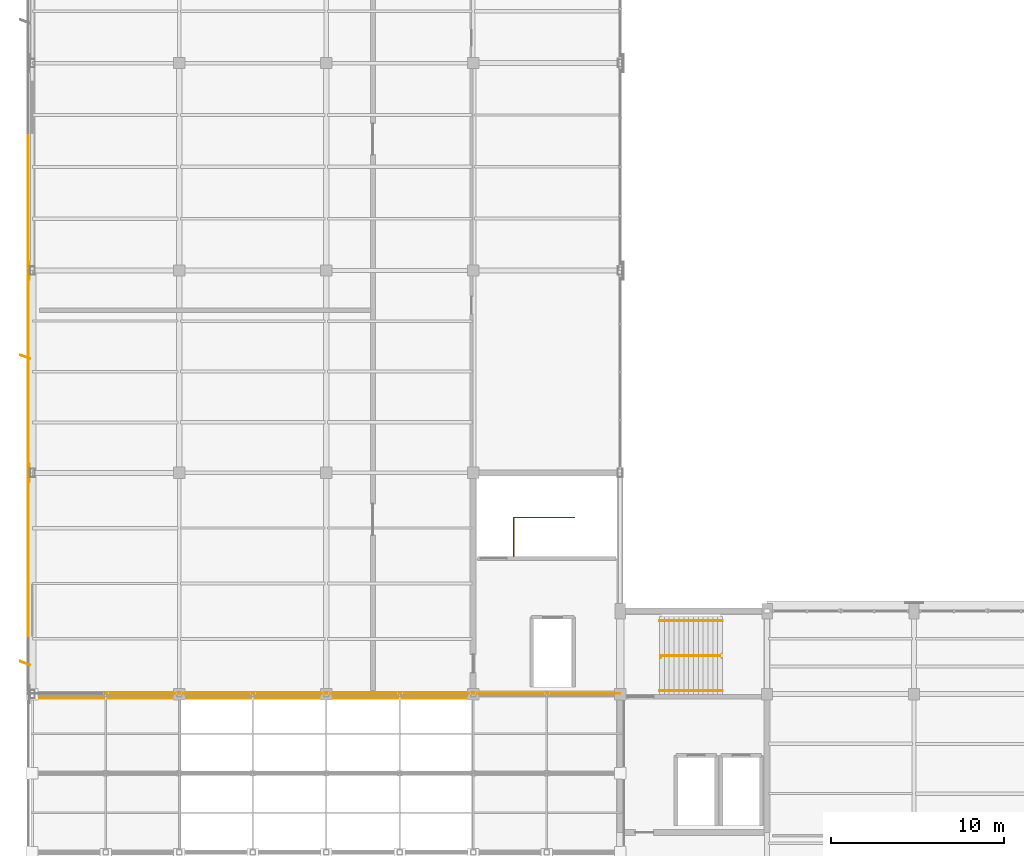
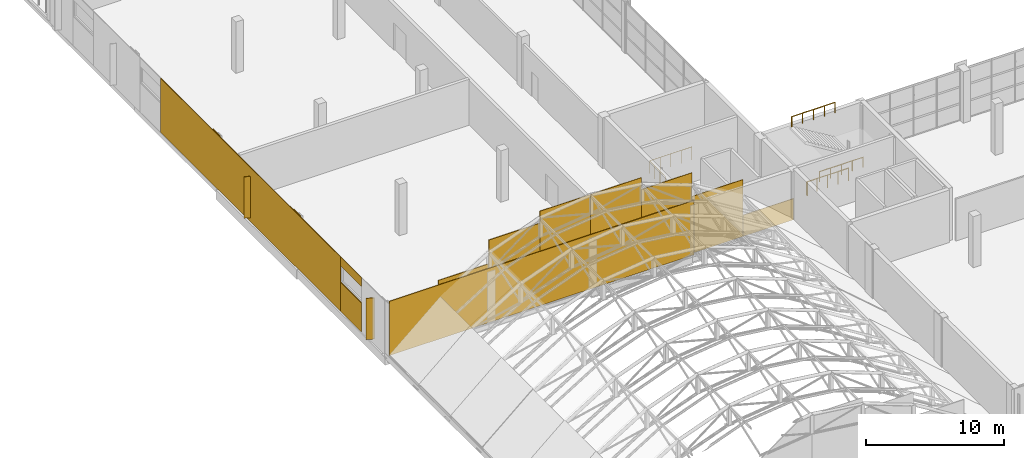
# One storey, part 78 of 86: 15 coverings, 4 railings.
"""IFC4 building model written with IfcOpenShell, lengths in metres."""

from ifc_helpers import new_model, si_unit, direction, frame, origin, origin_2d, place, context, subcontext, project, spatial, rectangle, circle, extrude, material, layer, layer_set, type_object, element, save


model = new_model("IFC4")

# Units and contexts
model_context = context("Model", 3, precision=1e-05, world=origin(), true_north=direction((0.0, 1.0)))
body_context = subcontext(model_context, "Body", "Model", "MODEL_VIEW")
ifc_project = project(units=[si_unit("LENGTHUNIT", "METRE"), si_unit("AREAUNIT", "SQUARE_METRE"), si_unit("VOLUMEUNIT", "CUBIC_METRE"), si_unit("PLANEANGLEUNIT", "RADIAN"), si_unit("MASSUNIT", "GRAM", prefix="KILO")], contexts=[model_context])

# Site, building, storey
site_placement = place(None, origin())
site = spatial("IfcSite", under=ifc_project, at=site_placement, CompositionType="ELEMENT")
building_placement = place(site_placement, origin())
building = spatial("IfcBuilding", under=site, at=building_placement, Name="Solvikara Media Centre", CompositionType="ELEMENT")
storey_placement = place(building_placement, frame((0.0, 0.0, 15.0)))
storey = spatial("IfcBuildingStorey", under=building, at=storey_placement, Name="L03", CompositionType="ELEMENT", Elevation=15.0)

# Coverings
ifc_material_1 = material(Name="GFRC white mineral architectural rainscreen panel")
ifc_layer = layer(ifc_material_1, 0.050048828125)
ifc_layer_set = layer_set([ifc_layer], Name="GFRC white mineral architectural rainscreen panel")
covering_type = type_object("IfcCoveringType", Name="CV-04", PredefinedType="CLADDING", material=ifc_layer_set)
for number, where, z_axis, x_axis, name in (
    (1, (-0.175048828125, 44.800048828125, 0.0), (0.0, 0.0, 1.0), (0.0, -1.0, 0.0), "PIL-L03-020"),
    (2, (-0.175048828125, 56.5, 0.0), (0.0, 0.0, 1.0), (0.0, -1.0, 0.0), "PIL-L03-024"),
):
    element("IfcCovering", number, at=place(storey_placement, frame(where, z_axis=z_axis, x_axis=x_axis)), inside=storey, type_object=covering_type, Name=name, PredefinedType="CLADDING", context=body_context, shape_type="SweptSolid", body=[
        extrude(rectangle(XDim=1.0400390625, YDim=0.050048828125, at=origin_2d()), origin(), (0.0, 0.0, 1.0), 4.800048828125),
    ])
covering_1_placement = place(storey_placement, frame((6.375, 32.0400390625, -0.04931640625), z_axis=(0.0, 0.0, 1.0), x_axis=(1.0, 0.0, 0.0)))
element("IfcCovering", 3, at=covering_1_placement, inside=storey, type_object=covering_type, Name="TYM-GC-N-01", PredefinedType="CLADDING", context=body_context, shape_type="SweptSolid", body=[
    extrude(rectangle(XDim=4.25, YDim=0.050048828125, at=origin_2d()), origin(), (0.0, 0.0, 1.0), 5.029052734375),
])
covering_2_placement = place(storey_placement, frame((10.625, 32.0400390625, -0.050537109375), z_axis=(0.0, 0.0, 1.0), x_axis=(1.0, 0.0, 0.0)))
element("IfcCovering", 4, at=covering_2_placement, inside=storey, type_object=covering_type, Name="TYM-GC-N-02", PredefinedType="CLADDING", context=body_context, shape_type="SweptSolid", body=[
    extrude(rectangle(XDim=4.25, YDim=0.050048828125, at=origin_2d()), origin(), (0.0, 0.0, 1.0), 7.12890625),
])
for number, where, z_axis, x_axis, name in (
    (5, (14.875, 32.0400390625, -0.04931640625), (0.0, 0.0, 1.0), (1.0, 0.0, 0.0), "TYM-GC-N-03"),
    (6, (19.125, 32.0400390625, -0.04931640625), (0.0, 0.0, 1.0), (1.0, 0.0, 0.0), "TYM-GC-N-04"),
):
    element("IfcCovering", number, at=place(storey_placement, frame(where, z_axis=z_axis, x_axis=x_axis)), inside=storey, type_object=covering_type, Name=name, PredefinedType="CLADDING", context=body_context, shape_type="SweptSolid", body=[
        extrude(rectangle(XDim=4.25, YDim=0.050048828125, at=origin_2d()), origin(), (0.0, 0.0, 1.0), 8.178955078125),
    ])
covering_3_placement = place(storey_placement, frame((23.375, 32.0400390625, -0.050537109375), z_axis=(0.0, 0.0, 1.0), x_axis=(1.0, 0.0, 0.0)))
element("IfcCovering", 7, at=covering_3_placement, inside=storey, type_object=covering_type, Name="TYM-GC-N-05", PredefinedType="CLADDING", context=body_context, shape_type="SweptSolid", body=[
    extrude(rectangle(XDim=4.25, YDim=0.050048828125, at=origin_2d()), origin(), (0.0, 0.0, 1.0), 7.12890625),
])
covering_4_placement = place(storey_placement, frame((27.625, 32.0400390625, -0.04931640625), z_axis=(0.0, 0.0, 1.0), x_axis=(1.0, 0.0, 0.0)))
element("IfcCovering", 8, at=covering_4_placement, inside=storey, type_object=covering_type, Name="TYM-GC-N-06", PredefinedType="CLADDING", context=body_context, shape_type="SweptSolid", body=[
    extrude(rectangle(XDim=4.25, YDim=0.050048828125, at=origin_2d()), origin(), (0.0, 0.0, 1.0), 5.029052734375),
])
covering_5_placement = place(storey_placement, frame((31.875, 32.0400390625, -0.050537109375), z_axis=(0.0, 0.0, 1.0), x_axis=(1.0, 0.0, 0.0)))
element("IfcCovering", 9, at=covering_5_placement, inside=storey, type_object=covering_type, Name="TYM-GC-N-07", PredefinedType="CLADDING", context=body_context, shape_type="SweptSolid", body=[
    extrude(rectangle(XDim=4.25, YDim=0.050048828125, at=origin_2d()), origin(), (0.0, 0.0, 1.0), 1.87890625),
])
covering_6_placement = place(storey_placement, frame((-0.425048828125, 33.784912109375, 0.35009765625), z_axis=(0.0, 0.0, 1.0), x_axis=(-0.930749810713, 0.3656566557, 0.0)))
element("IfcCovering", 10, at=covering_6_placement, inside=storey, type_object=covering_type, Name="L03-V4W-FIN-01", PredefinedType="CLADDING", context=body_context, shape_type="SweptSolid", body=[
    extrude(rectangle(XDim=0.60205078125, YDim=0.050048828125, at=origin_2d()), origin(), (0.0, 0.0, 1.0), 3.657958984375),
])
covering_7_placement = place(storey_placement, frame((-0.2451171875, 36.85009765625, 0.0), z_axis=(0.0, 0.0, 1.0), x_axis=(0.0, 1.0, 0.0)))
element("IfcCovering", 11, at=covering_7_placement, inside=storey, type_object=covering_type, Name="L03-V4W-CV-S02", PredefinedType="CLADDING", context=body_context, shape_type="SweptSolid", body=[
    extrude(rectangle(XDim=3.0, YDim=0.050048828125, at=origin_2d()), origin(), (0.0, 0.0, 1.0), 2.568115234375),
])
covering_8_placement = place(storey_placement, frame((-0.2451171875, 36.85009765625, 4.028076171875), z_axis=(0.0, 0.0, 1.0), x_axis=(0.0, 1.0, 0.0)))
element("IfcCovering", 12, at=covering_8_placement, inside=storey, type_object=covering_type, Name="L03-V4W-CV-H02", PredefinedType="CLADDING", context=body_context, shape_type="SweptSolid", body=[
    extrude(rectangle(XDim=3.0, YDim=0.050048828125, at=origin_2d()), origin(), (0.0, 0.0, 1.0), 0.77197265625),
])
covering_9_placement = place(storey_placement, frame((-0.2451171875, 51.39990234375, 0.0), z_axis=(0.0, 0.0, 1.0), x_axis=(0.0, 1.0, 0.0)))
element("IfcCovering", 13, at=covering_9_placement, inside=storey, type_object=covering_type, Name="L03-V4W-CV-F03", PredefinedType="CLADDING", context=body_context, shape_type="SweptSolid", body=[
    extrude(rectangle(XDim=26.10009765625, YDim=0.050048828125, at=origin_2d()), origin(), (0.0, 0.0, 1.0), 4.800048828125),
])
covering_10_placement = place(storey_placement, frame((-0.425048828125, 51.510009765625, 0.35009765625), z_axis=(0.0, 0.0, 1.0), x_axis=(-0.930749810713, 0.3656566557, 0.0)))
element("IfcCovering", 14, at=covering_10_placement, inside=storey, type_object=covering_type, Name="L03-V4W-FIN-03", PredefinedType="CLADDING", context=body_context, shape_type="SweptSolid", body=[
    extrude(rectangle(XDim=0.60205078125, YDim=0.050048828125, at=origin_2d()), origin(), (0.0, 0.0, 1.0), 3.657958984375),
])
covering_11_placement = place(storey_placement, frame((12.75, 31.7548828125, 0.0), z_axis=(0.0, 0.0, 1.0), x_axis=(1.0, 0.0, 0.0)))
element("IfcCovering", 15, at=covering_11_placement, inside=storey, type_object=covering_type, Name="L03-V4S-CV-F01", PredefinedType="CLADDING", context=body_context, shape_type="SweptSolid", body=[
    extrude(rectangle(XDim=25.5, YDim=0.050048828125, at=origin_2d()), origin(), (0.0, 0.0, 1.0), 4.800048828125),
])

# Railings
ifc_material_2 = material(Name="Steel S355JR", Category="steel")
railing_type_1 = type_object("IfcRailingType", Name="GR-01", PredefinedType="GUARDRAIL", material=ifc_material_2)
railing_1_placement = place(storey_placement, frame((27.840087890625, 39.97998046875, 0.0)))
element("IfcRailing", 16, at=railing_1_placement, inside=storey, type_object=railing_type_1, Name="GR-C1-L02-W", PredefinedType="GUARDRAIL", context=body_context, shape_type="SweptSolid", body=[
    extrude(circle(Radius=0.02392578125, at=origin_2d()), frame((0.0, 0.0, 1.1259765625), z_axis=(0.0, 1.0, 0.0), x_axis=(-1.0, 0.0, 0.0)), (0.0, 0.0, 1.0), 2.239990234375),
    extrude(circle(Radius=0.02392578125, at=origin_2d()), frame((0.0, 2.239990234375, 1.1259765625), z_axis=(1.0, 0.0, 0.0), x_axis=(0.0, 1.0, 0.0)), (0.0, 0.0, 1.0), 3.52001953125),
    extrude(circle(Radius=0.02099609375, at=origin_2d()), origin(), (0.0, 0.0, 1.0), 1.101806640625),
    extrude(circle(Radius=0.02099609375, at=origin_2d()), frame((0.0, 0.74658203125, 0.0)), (0.0, 0.0, 1.0), 1.101806640625),
    extrude(circle(Radius=0.02099609375, at=origin_2d()), frame((0.0, 1.493408203125, 0.0)), (0.0, 0.0, 1.0), 1.101806640625),
    extrude(circle(Radius=0.02099609375, at=origin_2d()), frame((0.0, 2.239990234375, 0.0)), (0.0, 0.0, 1.0), 1.101806640625),
    extrude(circle(Radius=0.02099609375, at=origin_2d()), frame((0.8798828125, 2.239990234375, 0.0)), (0.0, 0.0, 1.0), 1.101806640625),
    extrude(circle(Radius=0.02099609375, at=origin_2d()), frame((1.760009765625, 2.239990234375, 0.0)), (0.0, 0.0, 1.0), 1.101806640625),
    extrude(circle(Radius=0.02099609375, at=origin_2d()), frame((2.64013671875, 2.239990234375, 0.0)), (0.0, 0.0, 1.0), 1.101806640625),
    extrude(circle(Radius=0.02099609375, at=origin_2d()), frame((3.52001953125, 2.239990234375, 0.0)), (0.0, 0.0, 1.0), 1.101806640625),
])
railing_2_placement = place(storey_placement, frame((36.340087890625, 34.10009765625, 0.0)))
element("IfcRailing", 17, at=railing_2_placement, inside=storey, type_object=railing_type_1, Name="GR-C2-L02-W", PredefinedType="GUARDRAIL", context=body_context, shape_type="SweptSolid", body=[
    extrude(circle(Radius=0.02392578125, at=origin_2d()), frame((0.0, 0.0, 1.1259765625), z_axis=(0.0, 1.0, 0.0), x_axis=(-1.0, 0.0, 0.0)), (0.0, 0.0, 1.0), 0.119873046875),
    extrude(circle(Radius=0.02392578125, at=origin_2d()), frame((0.0, 0.119873046875, 1.1259765625), z_axis=(1.0, 0.0, 0.0), x_axis=(0.0, 1.0, 0.0)), (0.0, 0.0, 1.0), 3.52001953125),
    extrude(circle(Radius=0.02099609375, at=origin_2d()), origin(), (0.0, 0.0, 1.0), 1.101806640625),
    extrude(circle(Radius=0.02099609375, at=origin_2d()), frame((0.0, 0.119873046875, 0.0)), (0.0, 0.0, 1.0), 1.101806640625),
    extrude(circle(Radius=0.02099609375, at=origin_2d()), frame((0.8798828125, 0.119873046875, 0.0)), (0.0, 0.0, 1.0), 1.101806640625),
    extrude(circle(Radius=0.02099609375, at=origin_2d()), frame((1.760009765625, 0.119873046875, 0.0)), (0.0, 0.0, 1.0), 1.101806640625),
    extrude(circle(Radius=0.02099609375, at=origin_2d()), frame((2.64013671875, 0.119873046875, 0.0)), (0.0, 0.0, 1.0), 1.101806640625),
    extrude(circle(Radius=0.02099609375, at=origin_2d()), frame((3.52001953125, 0.119873046875, 0.0)), (0.0, 0.0, 1.0), 1.101806640625),
])
railing_type_2 = type_object("IfcRailingType", Name="HR-01", PredefinedType="HANDRAIL", material=ifc_material_2)
railing_3_placement = place(storey_placement, frame((36.280029296875, 32.199951171875, 2.39990234375)))
element("IfcRailing", 18, at=railing_3_placement, inside=storey, type_object=railing_type_2, Name="HR-C2-L03-1", PredefinedType="HANDRAIL", context=body_context, shape_type="SweptSolid", body=[
    extrude(circle(Radius=0.02392578125, at=origin_2d()), frame((0.0, 0.0, 0.89599609375), z_axis=(1.0, 0.0, 0.0), x_axis=(0.0, 1.0, 0.0)), (0.0, 0.0, 1.0), 3.639892578125),
    extrude(circle(Radius=0.02099609375, at=origin_2d()), origin(), (0.0, 0.0, 1.0), 0.871826171875),
    extrude(circle(Radius=0.02099609375, at=origin_2d()), frame((0.909912109375, 0.0, 0.0)), (0.0, 0.0, 1.0), 0.871826171875),
    extrude(circle(Radius=0.02099609375, at=origin_2d()), frame((1.81982421875, 0.0, 0.0)), (0.0, 0.0, 1.0), 0.871826171875),
    extrude(circle(Radius=0.02099609375, at=origin_2d()), frame((2.72998046875, 0.0, 0.0)), (0.0, 0.0, 1.0), 0.871826171875),
    extrude(circle(Radius=0.02099609375, at=origin_2d()), frame((3.639892578125, 0.0, 0.0)), (0.0, 0.0, 1.0), 0.871826171875),
])
railing_4_placement = place(storey_placement, frame((39.919921875, 36.25, 4.800048828125)))
element("IfcRailing", 19, at=railing_4_placement, inside=storey, type_object=railing_type_2, Name="HR-C2-L03-2", PredefinedType="HANDRAIL", context=body_context, shape_type="SweptSolid", body=[
    extrude(circle(Radius=0.02392578125, at=origin_2d()), frame((0.0, 0.0, 0.89599609375), z_axis=(-1.0, 0.0, 0.0), x_axis=(0.0, -1.0, 0.0)), (0.0, 0.0, 1.0), 3.639892578125),
    extrude(circle(Radius=0.02099609375, at=origin_2d()), origin(), (0.0, 0.0, 1.0), 0.871826171875),
    extrude(circle(Radius=0.02099609375, at=origin_2d()), frame((-0.909912109375, 0.0, 0.0)), (0.0, 0.0, 1.0), 0.871826171875),
    extrude(circle(Radius=0.02099609375, at=origin_2d()), frame((-1.81982421875, 0.0, 0.0)), (0.0, 0.0, 1.0), 0.871826171875),
    extrude(circle(Radius=0.02099609375, at=origin_2d()), frame((-2.72998046875, 0.0, 0.0)), (0.0, 0.0, 1.0), 0.871826171875),
    extrude(circle(Radius=0.02099609375, at=origin_2d()), frame((-3.639892578125, 0.0, 0.0)), (0.0, 0.0, 1.0), 0.871826171875),
])

save(model, "model.ifc")
